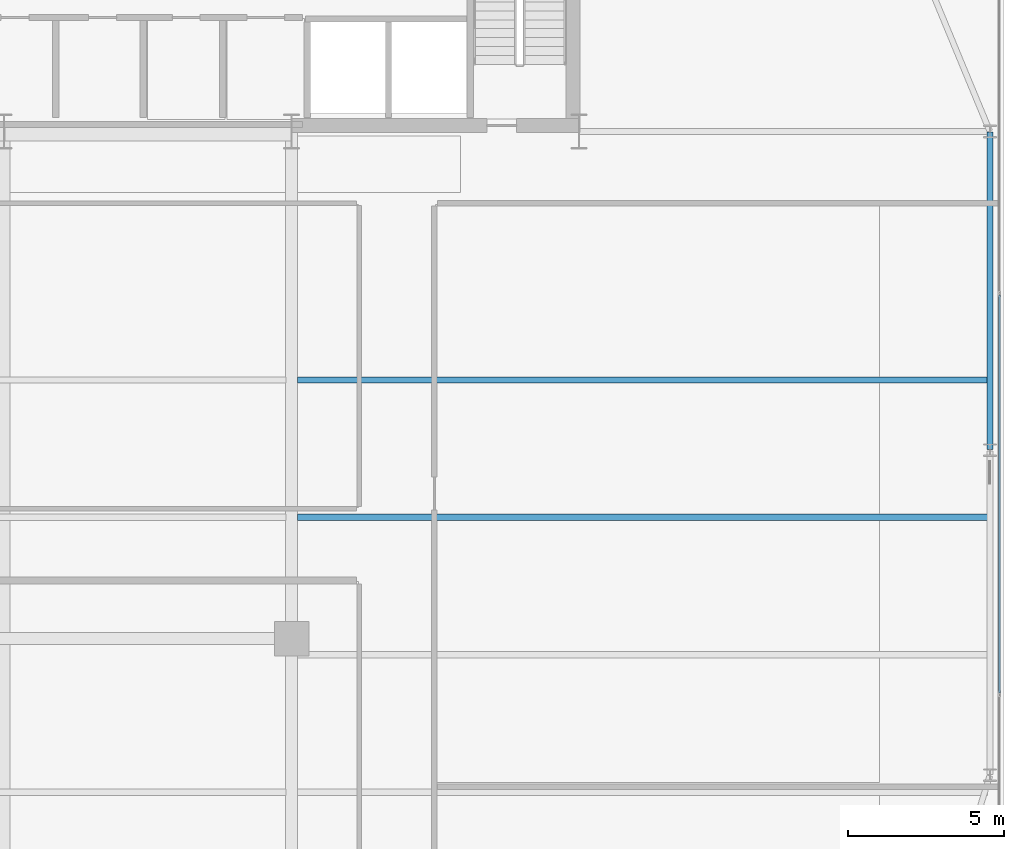
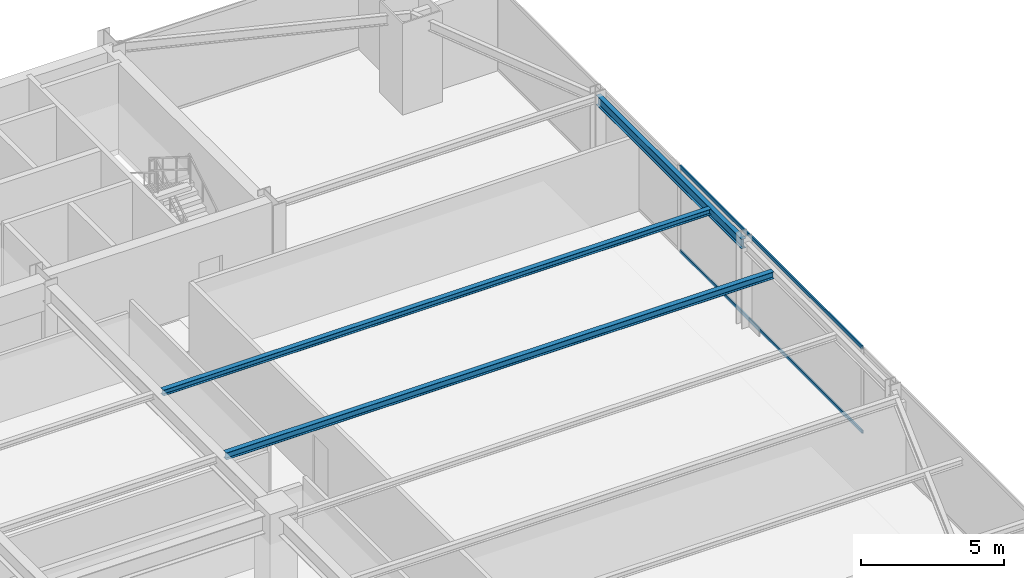
# One storey, part 17 of 31: 3 beams, 2 members, 1 element without a shape of its own.
"""IFC4 building model written with IfcOpenShell, lengths in metres."""

from ifc_helpers import new_model, si_unit, direction, frame, origin, origin_2d, place, context, subcontext, project, spatial, hollow_rectangle, i_section, extrude, source, transform, mapped, material, layer, layer_set, material_profile, profile_set, type_object, type_shapes, element, aggregate, save


model = new_model("IFC4")

# Units and contexts
model_context = context("Model", 3, precision=1e-05, world=origin(), true_north=direction((0.0, 1.0)))
body_context = subcontext(model_context, "Body", "Model", "MODEL_VIEW")
ifc_project = project(units=[si_unit("LENGTHUNIT", "METRE"), si_unit("AREAUNIT", "SQUARE_METRE"), si_unit("VOLUMEUNIT", "CUBIC_METRE"), si_unit("PLANEANGLEUNIT", "RADIAN"), si_unit("MASSUNIT", "GRAM", prefix="KILO")], contexts=[model_context])

# Site, building, storey
site_placement = place(None, origin())
site = spatial("IfcSite", under=ifc_project, at=site_placement, CompositionType="ELEMENT")
building_placement = place(site_placement, origin())
building = spatial("IfcBuilding", under=site, at=building_placement, Name="Varnel Quay Broadcast Tower", CompositionType="ELEMENT")
storey_placement = place(building_placement, frame((0.0, 0.0, 51.0)))
storey = spatial("IfcBuildingStorey", under=building, at=storey_placement, Name="L11", CompositionType="ELEMENT", Elevation=51.0)

# Beams
ifc_material_1 = material(Name="Structural Steel CSA G40.21 350W", Category="steel")
ifc_material_profile_1 = material_profile(ifc_material_1, i_section(OverallWidth=0.180908203125, OverallDepth=0.4169921875, WebThickness=0.010986328125, FlangeThickness=0.018310546875, FilletRadius=0.011962890625, at=origin_2d()), Name="W410X85")
ifc_profile_set_1 = profile_set([ifc_material_profile_1], Name="Structural Steel CSA G40.21 350W")
beam_type_1 = type_object("IfcBeamType", Name="Beam_W410X85", PredefinedType="SPANDREL", material=ifc_profile_set_1)
shared_shape_1 = source(origin(), body_context, "Body", "SweptSolid", [
    extrude(i_section(OverallWidth=0.180908203125, OverallDepth=0.4169921875, WebThickness=0.010986328125, FlangeThickness=0.018310546875, FilletRadius=0.011962890625, at=origin_2d()), origin(), (0.0, 0.0, 1.0), 10.16015625),
])
type_shapes(beam_type_1, [shared_shape_1])
beam_1_placement = place(storey_placement, frame((65.550048828125, 25.419921875, 3.44140625), z_axis=(0.0, 1.0, 0.0), x_axis=(-1.0, 0.0, 0.0)))
element("IfcBeam", 1, at=beam_1_placement, inside=storey, type_object=beam_type_1, Name="L11 East Spandrel TC-E2-TC-E3", PredefinedType="SPANDREL", context=body_context, shape_type="MappedRepresentation", body=[
    mapped(shared_shape_1, transform((0.0, 0.0, 0.0), x_axis=(1.0, 0.0, 0.0), y_axis=(0.0, 1.0, 0.0), z_axis=(0.0, 0.0, 1.0), scale=1.0)),
])
ifc_material_profile_2 = material_profile(ifc_material_1, i_section(OverallWidth=0.202880859375, OverallDepth=0.302978515625, WebThickness=0.007568359375, FlangeThickness=0.01318359375, FilletRadius=0.011962890625, at=origin_2d()), Name="W310X60")
ifc_profile_set_2 = profile_set([ifc_material_profile_2], Name="Structural Steel CSA G40.21 350W")
beam_type_2 = type_object("IfcBeamType", Name="Beam_W310X60", PredefinedType="JOIST", material=ifc_profile_set_2)
shared_shape_2 = source(origin(), body_context, "Body", "SweptSolid", [
    extrude(i_section(OverallWidth=0.202880859375, OverallDepth=0.302978515625, WebThickness=0.007568359375, FlangeThickness=0.01318359375, FilletRadius=0.011962890625, at=origin_2d()), origin(), (0.0, 0.0, 1.0), 22.0791015625),
])
type_shapes(beam_type_2, [shared_shape_2])
beam_2_placement = place(storey_placement, frame((43.385498046875, 23.25, 3.49853515625), z_axis=(1.0, 0.0, 0.0), x_axis=(0.0, 1.0, 0.0)))
element("IfcBeam", 2, at=beam_2_placement, inside=storey, type_object=beam_type_2, Name="L11 East Floor Joist 5", PredefinedType="JOIST", context=body_context, shape_type="MappedRepresentation", body=[
    mapped(shared_shape_2, transform((0.0, 0.0, 0.0), x_axis=(1.0, 0.0, 0.0), y_axis=(0.0, 1.0, 0.0), z_axis=(0.0, 0.0, 1.0), scale=1.0)),
])
ifc_material_profile_3 = material_profile(ifc_material_1, i_section(OverallWidth=0.201904296875, OverallDepth=0.2470703125, WebThickness=0.00732421875, FlangeThickness=0.010986328125, FilletRadius=0.010986328125, at=origin_2d()), Name="W250X49")
ifc_profile_set_3 = profile_set([ifc_material_profile_3], Name="Structural Steel CSA G40.21 350W")
beam_type_3 = type_object("IfcBeamType", Name="Beam_W250X49", PredefinedType="JOIST", material=ifc_profile_set_3)
shared_shape_3 = source(origin(), body_context, "Body", "SweptSolid", [
    extrude(i_section(OverallWidth=0.201904296875, OverallDepth=0.2470703125, WebThickness=0.00732421875, FlangeThickness=0.010986328125, FilletRadius=0.010986328125, at=origin_2d()), origin(), (0.0, 0.0, 1.0), 22.0791015625),
])
type_shapes(beam_type_3, [shared_shape_3])
beam_3_placement = place(storey_placement, frame((43.385498046875, 27.64990234375, 3.526611328125), z_axis=(1.0, 0.0, 0.0), x_axis=(0.0, 1.0, 0.0)))
element("IfcBeam", 3, at=beam_3_placement, inside=storey, type_object=beam_type_3, Name="L11 East Floor Joist 6", PredefinedType="JOIST", context=body_context, shape_type="MappedRepresentation", body=[
    mapped(shared_shape_3, transform((0.0, 0.0, 0.0), x_axis=(1.0, 0.0, 0.0), y_axis=(0.0, 1.0, 0.0), z_axis=(0.0, 0.0, 1.0), scale=1.0)),
])

# Curtain wall, members
ifc_material_2 = material(Name="Anodised Bronze Aluminium 6063-T6", Category="aluminium")
ifc_layer = layer(ifc_material_2, 0.18994140625, Name="Anodised Bronze Aluminium 6063-T6")
ifc_layer_set = layer_set([ifc_layer], Name="Anodised Bronze Aluminium 6063-T6")
curtain_wall_type = type_object("IfcCurtainWallType", Name="CW_LowerTower", PredefinedType="NOTDEFINED", material=ifc_layer_set)
curtain_wall_placement = place(storey_placement, origin())
curtain_wall = element("IfcCurtainWall", 4, at=curtain_wall_placement, inside=storey, type_object=curtain_wall_type, Name="L11 East Unitised Curtain Wall", PredefinedType="NOTDEFINED")
ifc_material_profile_4 = material_profile(ifc_material_2, hollow_rectangle(XDim=0.06005859375, YDim=0.14501953125, WallThickness=0.00341796875, at=origin_2d()), Name="ALU60X145X3.5")
ifc_profile_set_4 = profile_set([ifc_material_profile_4], Name="Anodised Bronze Aluminium 6063-T6")
member_type = type_object("IfcMemberType", Name="Tran_CWS-02", PredefinedType="USERDEFINED", material=ifc_profile_set_4)
shared_shape_4 = source(origin(), body_context, "Body", "SweptSolid", [
    extrude(hollow_rectangle(XDim=0.06005859375, YDim=0.14501953125, WallThickness=0.00341796875, at=origin_2d()), origin(), (0.0, 0.0, 1.0), 12.72998046875),
])
type_shapes(member_type, [shared_shape_4])
member_1_placement = place(storey_placement, frame((65.85009765625, 17.635009765625, 0.030029296875), z_axis=(0.0, 1.0, 0.0), x_axis=(-1.0, 0.0, 0.0)))
member_1 = element("IfcMember", 5, at=member_1_placement, type_object=member_type, Name="CWS-02 transom 2.1", ObjectType="TRANSOM", PredefinedType="USERDEFINED", context=body_context, shape_type="MappedRepresentation", body=[
    mapped(shared_shape_4, transform((0.0, 0.0, 0.0), x_axis=(1.0, 0.0, 0.0), y_axis=(0.0, 1.0, 0.0), z_axis=(0.0, 0.0, 1.0), scale=1.0)),
])
member_2_placement = place(storey_placement, frame((65.85009765625, 17.635009765625, 3.6201171875), z_axis=(0.0, 1.0, 0.0), x_axis=(-1.0, 0.0, 0.0)))
member_2 = element("IfcMember", 6, at=member_2_placement, type_object=member_type, Name="CWS-02 transom 2.2", ObjectType="TRANSOM", PredefinedType="USERDEFINED", context=body_context, shape_type="MappedRepresentation", body=[
    mapped(shared_shape_4, transform((0.0, 0.0, 0.0), x_axis=(1.0, 0.0, 0.0), y_axis=(0.0, 1.0, 0.0), z_axis=(0.0, 0.0, 1.0), scale=1.0)),
])
aggregate(curtain_wall, [member_1, member_2])

save(model, "model.ifc")
